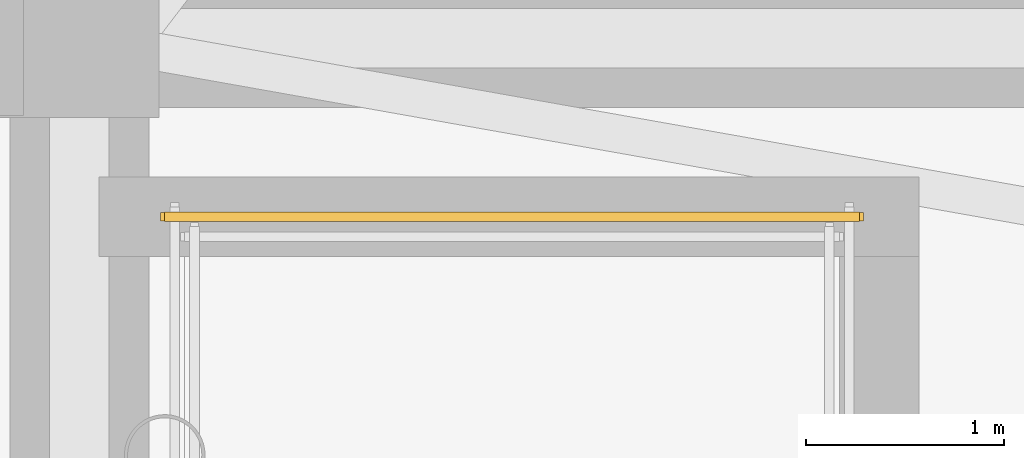
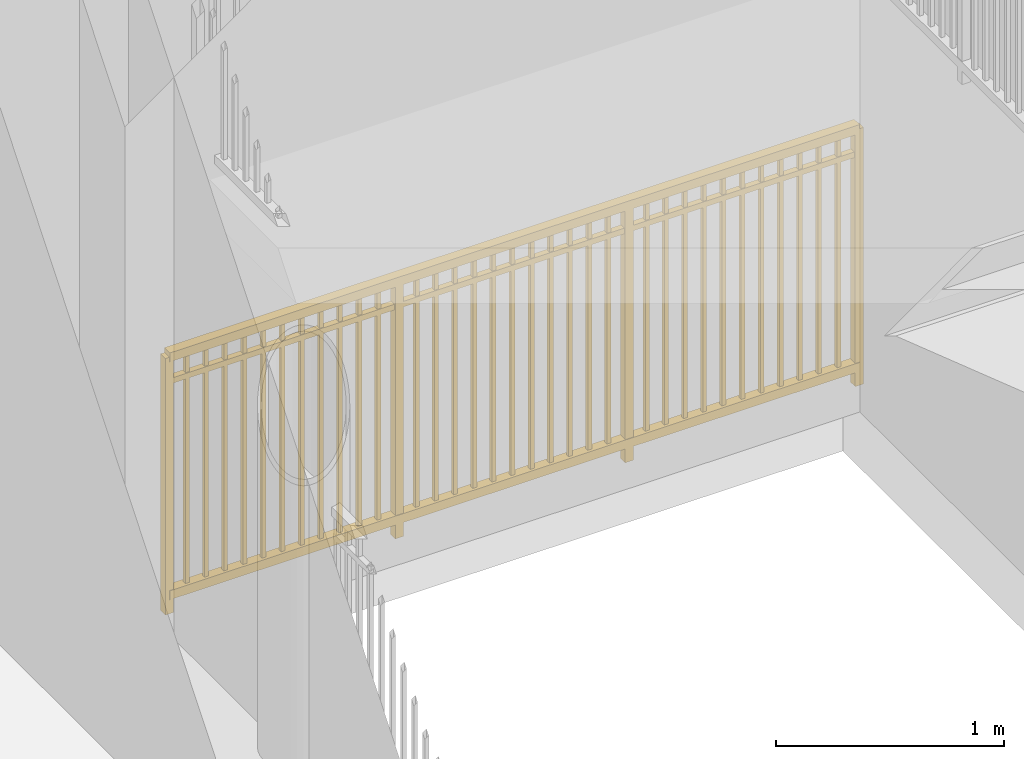
# One storey, part 11 of 11: 1 railing.
"""IFC4 building model written with IfcOpenShell, lengths in metres."""

from ifc_helpers import new_model, si_unit, direction, frame, origin, origin_2d, place, context, subcontext, project, spatial, rectangle, extrude, source, transform, mapped, material, type_object, element, save


model = new_model("IFC4")

# Units and contexts
model_context = context("Model", 3, precision=1e-05, world=origin(), true_north=direction((0.0, 1.0)))
body_context = subcontext(model_context, "Body", "Model", "MODEL_VIEW")
ifc_project = project(units=[si_unit("LENGTHUNIT", "METRE"), si_unit("AREAUNIT", "SQUARE_METRE"), si_unit("VOLUMEUNIT", "CUBIC_METRE"), si_unit("PLANEANGLEUNIT", "RADIAN"), si_unit("MASSUNIT", "GRAM", prefix="KILO")], contexts=[model_context])

# Site, building, storey
site_placement = place(None, origin())
site = spatial("IfcSite", under=ifc_project, at=site_placement, CompositionType="ELEMENT")
building_placement = place(site_placement, origin())
building = spatial("IfcBuilding", under=site, at=building_placement, Name="Linh Dai School and Residence Tower", CompositionType="ELEMENT")
storey_placement = place(building_placement, frame((0.0, 0.0, 363.60009765625)))
storey = spatial("IfcBuildingStorey", under=building, at=storey_placement, Name="L90", CompositionType="ELEMENT", Elevation=363.60009765625)

# Railing
ifc_material = material(Name="Structural Steel S355JR", Category="steel")
railing_type = type_object("IfcRailingType", Name="RL-ST-GUARD-1400", PredefinedType="GUARDRAIL", material=ifc_material)
shared_shape = source(origin(), body_context, "Body", "SweptSolid", [
    extrude(rectangle(XDim=0.048095703125, YDim=0.048095703125, at=origin_2d()), frame((0.0, 0.0, 1.3759765625), z_axis=(-1.0, 0.0, 0.0), x_axis=(0.0, -1.0, 0.0)), (0.0, 0.0, 1.0), 3.5),
    extrude(rectangle(XDim=0.048095703125, YDim=0.048095703125, at=origin_2d()), frame((0.0, 0.0, 0.10009765625), z_axis=(-1.0, 0.0, 0.0), x_axis=(0.0, -1.0, 0.0)), (0.0, 0.0, 1.0), 3.5),
    extrude(rectangle(XDim=0.030029296875, YDim=0.030029296875, at=origin_2d()), frame((0.0, 0.0, 1.239990234375), z_axis=(-1.0, 0.0, 0.0), x_axis=(0.0, -1.0, 0.0)), (0.0, 0.0, 1.0), 3.5),
    extrude(rectangle(XDim=0.02001953125, YDim=0.02001953125, at=origin_2d()), frame((-0.09716796875, 0.0, 0.10009765625)), (0.0, 0.0, 1.0), 1.251708984375),
    extrude(rectangle(XDim=0.02001953125, YDim=0.02001953125, at=origin_2d()), frame((-0.1943359375, 0.0, 0.10009765625)), (0.0, 0.0, 1.0), 1.251708984375),
    extrude(rectangle(XDim=0.02001953125, YDim=0.02001953125, at=origin_2d()), frame((-0.291748046875, 0.0, 0.10009765625)), (0.0, 0.0, 1.0), 1.251708984375),
    extrude(rectangle(XDim=0.02001953125, YDim=0.02001953125, at=origin_2d()), frame((-0.388916015625, 0.0, 0.10009765625)), (0.0, 0.0, 1.0), 1.251708984375),
    extrude(rectangle(XDim=0.02001953125, YDim=0.02001953125, at=origin_2d()), frame((-0.486083984375, 0.0, 0.10009765625)), (0.0, 0.0, 1.0), 1.251708984375),
    extrude(rectangle(XDim=0.02001953125, YDim=0.02001953125, at=origin_2d()), frame((-0.583251953125, 0.0, 0.10009765625)), (0.0, 0.0, 1.0), 1.251708984375),
    extrude(rectangle(XDim=0.02001953125, YDim=0.02001953125, at=origin_2d()), frame((-0.6806640625, 0.0, 0.10009765625)), (0.0, 0.0, 1.0), 1.251708984375),
    extrude(rectangle(XDim=0.02001953125, YDim=0.02001953125, at=origin_2d()), frame((-0.77783203125, 0.0, 0.10009765625)), (0.0, 0.0, 1.0), 1.251708984375),
    extrude(rectangle(XDim=0.02001953125, YDim=0.02001953125, at=origin_2d()), frame((-0.875, 0.0, 0.10009765625)), (0.0, 0.0, 1.0), 1.251708984375),
    extrude(rectangle(XDim=0.02001953125, YDim=0.02001953125, at=origin_2d()), frame((-0.97216796875, 0.0, 0.10009765625)), (0.0, 0.0, 1.0), 1.251708984375),
    extrude(rectangle(XDim=0.02001953125, YDim=0.02001953125, at=origin_2d()), frame((-1.0693359375, 0.0, 0.10009765625)), (0.0, 0.0, 1.0), 1.251708984375),
    extrude(rectangle(XDim=0.02001953125, YDim=0.02001953125, at=origin_2d()), frame((-1.263916015625, 0.0, 0.10009765625)), (0.0, 0.0, 1.0), 1.251708984375),
    extrude(rectangle(XDim=0.02001953125, YDim=0.02001953125, at=origin_2d()), frame((-1.361083984375, 0.0, 0.10009765625)), (0.0, 0.0, 1.0), 1.251708984375),
    extrude(rectangle(XDim=0.02001953125, YDim=0.02001953125, at=origin_2d()), frame((-1.458251953125, 0.0, 0.10009765625)), (0.0, 0.0, 1.0), 1.251708984375),
    extrude(rectangle(XDim=0.02001953125, YDim=0.02001953125, at=origin_2d()), frame((-1.5556640625, 0.0, 0.10009765625)), (0.0, 0.0, 1.0), 1.251708984375),
    extrude(rectangle(XDim=0.02001953125, YDim=0.02001953125, at=origin_2d()), frame((-1.65283203125, 0.0, 0.10009765625)), (0.0, 0.0, 1.0), 1.251708984375),
    extrude(rectangle(XDim=0.02001953125, YDim=0.02001953125, at=origin_2d()), frame((-1.75, 0.0, 0.10009765625)), (0.0, 0.0, 1.0), 1.251708984375),
    extrude(rectangle(XDim=0.02001953125, YDim=0.02001953125, at=origin_2d()), frame((-1.84716796875, 0.0, 0.10009765625)), (0.0, 0.0, 1.0), 1.251708984375),
    extrude(rectangle(XDim=0.02001953125, YDim=0.02001953125, at=origin_2d()), frame((-1.9443359375, 0.0, 0.10009765625)), (0.0, 0.0, 1.0), 1.251708984375),
    extrude(rectangle(XDim=0.02001953125, YDim=0.02001953125, at=origin_2d()), frame((-2.041748046875, 0.0, 0.10009765625)), (0.0, 0.0, 1.0), 1.251708984375),
    extrude(rectangle(XDim=0.02001953125, YDim=0.02001953125, at=origin_2d()), frame((-2.138916015625, 0.0, 0.10009765625)), (0.0, 0.0, 1.0), 1.251708984375),
    extrude(rectangle(XDim=0.02001953125, YDim=0.02001953125, at=origin_2d()), frame((-2.236083984375, 0.0, 0.10009765625)), (0.0, 0.0, 1.0), 1.251708984375),
    extrude(rectangle(XDim=0.02001953125, YDim=0.02001953125, at=origin_2d()), frame((-2.4306640625, 0.0, 0.10009765625)), (0.0, 0.0, 1.0), 1.251708984375),
    extrude(rectangle(XDim=0.02001953125, YDim=0.02001953125, at=origin_2d()), frame((-2.52783203125, 0.0, 0.10009765625)), (0.0, 0.0, 1.0), 1.251708984375),
    extrude(rectangle(XDim=0.02001953125, YDim=0.02001953125, at=origin_2d()), frame((-2.625, 0.0, 0.10009765625)), (0.0, 0.0, 1.0), 1.251708984375),
    extrude(rectangle(XDim=0.02001953125, YDim=0.02001953125, at=origin_2d()), frame((-2.72216796875, 0.0, 0.10009765625)), (0.0, 0.0, 1.0), 1.251708984375),
    extrude(rectangle(XDim=0.02001953125, YDim=0.02001953125, at=origin_2d()), frame((-2.8193359375, 0.0, 0.10009765625)), (0.0, 0.0, 1.0), 1.251708984375),
    extrude(rectangle(XDim=0.02001953125, YDim=0.02001953125, at=origin_2d()), frame((-2.916748046875, 0.0, 0.10009765625)), (0.0, 0.0, 1.0), 1.251708984375),
    extrude(rectangle(XDim=0.02001953125, YDim=0.02001953125, at=origin_2d()), frame((-3.013916015625, 0.0, 0.10009765625)), (0.0, 0.0, 1.0), 1.251708984375),
    extrude(rectangle(XDim=0.02001953125, YDim=0.02001953125, at=origin_2d()), frame((-3.111083984375, 0.0, 0.10009765625)), (0.0, 0.0, 1.0), 1.251708984375),
    extrude(rectangle(XDim=0.02001953125, YDim=0.02001953125, at=origin_2d()), frame((-3.208251953125, 0.0, 0.10009765625)), (0.0, 0.0, 1.0), 1.251708984375),
    extrude(rectangle(XDim=0.02001953125, YDim=0.02001953125, at=origin_2d()), frame((-3.3056640625, 0.0, 0.10009765625)), (0.0, 0.0, 1.0), 1.251708984375),
    extrude(rectangle(XDim=0.02001953125, YDim=0.02001953125, at=origin_2d()), frame((-3.40283203125, 0.0, 0.10009765625)), (0.0, 0.0, 1.0), 1.251708984375),
    extrude(rectangle(XDim=0.0419921875, YDim=0.0419921875, at=origin_2d()), origin(), (0.0, 0.0, 1.0), 1.3759765625),
    extrude(rectangle(XDim=0.0419921875, YDim=0.0419921875, at=origin_2d()), frame((-1.166748046875, 0.0, 0.0)), (0.0, 0.0, 1.0), 1.3759765625),
    extrude(rectangle(XDim=0.0419921875, YDim=0.0419921875, at=origin_2d()), frame((-2.333251953125, 0.0, 0.0)), (0.0, 0.0, 1.0), 1.3759765625),
    extrude(rectangle(XDim=0.0419921875, YDim=0.0419921875, at=origin_2d()), frame((-3.5, 0.0, 0.0)), (0.0, 0.0, 1.0), 1.3759765625),
])
railing_placement = place(storey_placement, frame((31.080078125, 32.550048828125, 0.0)))
element("IfcRailing", 1, at=railing_placement, inside=storey, type_object=railing_type, Name="L90 ST1 stair guard 12", PredefinedType="GUARDRAIL", context=body_context, shape_type="MappedRepresentation", body=[
    mapped(shared_shape, transform((0.0, 0.0, 0.0), x_axis=(1.0, 0.0, 0.0), y_axis=(0.0, 1.0, 0.0), z_axis=(0.0, 0.0, 1.0), scale=1.0)),
])

save(model, "model.ifc")
